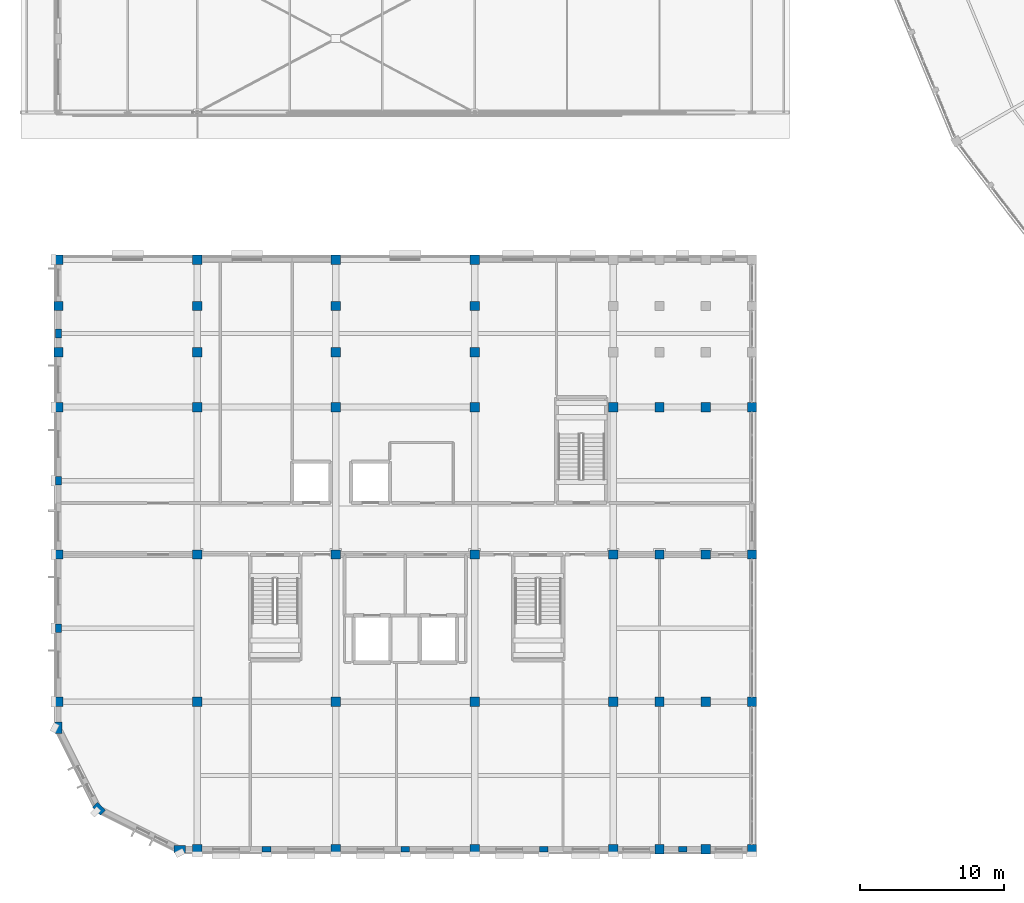
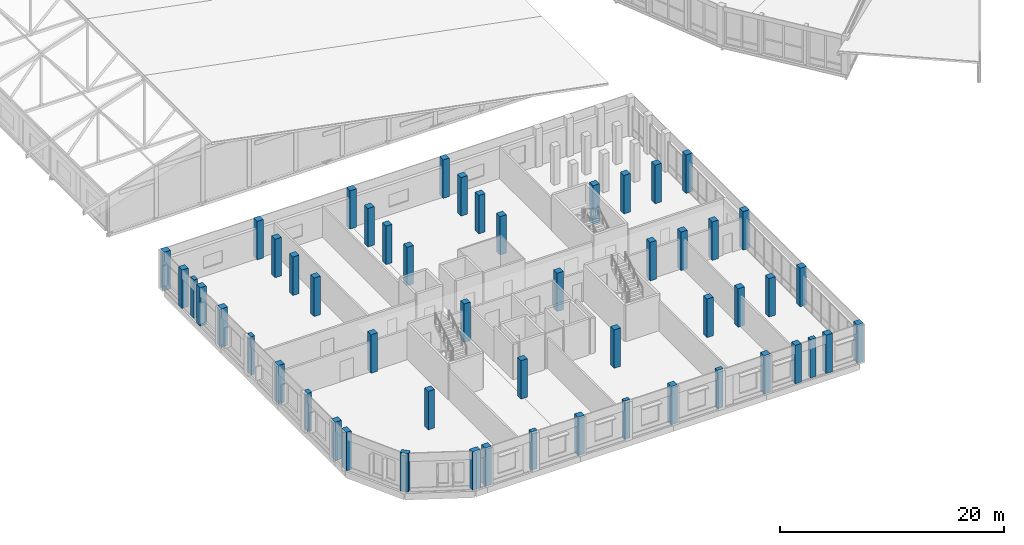
# One storey, part 1 of 200: 53 columns.
"""IFC4 building model written with IfcOpenShell, lengths in metres."""

from ifc_helpers import new_model, si_unit, direction, frame, origin, origin_2d, place, context, subcontext, project, spatial, rectangle, extrude, material, material_profile, profile_set, type_object, element, save


model = new_model("IFC4")

# Units and contexts
model_context = context("Model", 3, precision=1e-05, world=origin(), true_north=direction((0.0, 1.0)))
body_context = subcontext(model_context, "Body", "Model", "MODEL_VIEW")
ifc_project = project(units=[si_unit("LENGTHUNIT", "METRE"), si_unit("AREAUNIT", "SQUARE_METRE"), si_unit("VOLUMEUNIT", "CUBIC_METRE"), si_unit("PLANEANGLEUNIT", "RADIAN"), si_unit("MASSUNIT", "GRAM", prefix="KILO")], contexts=[model_context])

# Site, building, storey
site_placement = place(None, origin())
site = spatial("IfcSite", under=ifc_project, at=site_placement, CompositionType="ELEMENT")
building_placement = place(site_placement, origin())
building = spatial("IfcBuilding", under=site, at=building_placement, Name="Vondelvale Polytechnic", CompositionType="ELEMENT")
storey_placement = place(building_placement, frame((0.0, 0.0, 13.800048828125)))
storey = spatial("IfcBuildingStorey", under=building, at=storey_placement, Name="L03", CompositionType="ELEMENT", Elevation=13.800048828125)

# Columns
ifc_material = material(Name="Concrete N50 (f'c = 50 MPa)", Category="concrete")
ifc_material_profile_1 = material_profile(ifc_material, rectangle(XDim=0.64990234375, YDim=0.64990234375, at=origin_2d()), Name="RC-COL-650x650")
ifc_profile_set_1 = profile_set([ifc_material_profile_1], Name="Concrete N50 (f'c = 50 MPa)")
column_type_1 = type_object("IfcColumnType", Name="COL-RC650", PredefinedType="COLUMN", material=ifc_profile_set_1)
for number, where, z_axis, x_axis, name in (
    (1, (0.0, 10.199951171875, 0.0), (0.0, 0.0, 1.0), (1.0, 0.0, 0.0), "L03 corner wing column (0.0,10.2)"),
    (2, (0.0, 20.39990234375, 0.0), (0.0, 0.0, 1.0), (1.0, 0.0, 0.0), "L03 corner wing column (0.0,20.4)"),
    (3, (0.0, 30.60009765625, 0.0), (0.0, 0.0, 1.0), (1.0, 0.0, 0.0), "L03 corner wing column (0.0,30.6)"),
    (4, (0.0, 34.39990234375, 0.0), (0.0, 0.0, 1.0), (1.0, 0.0, 0.0), "L03 corner wing column (0.0,34.4)"),
    (5, (0.0, 37.60009765625, 0.0), (0.0, 0.0, 1.0), (1.0, 0.0, 0.0), "L03 corner wing column (0.0,37.6)"),
    (6, (0.0, 40.800048828125, 0.0), (0.0, 0.0, 1.0), (1.0, 0.0, 0.0), "L03 corner wing column (0.0,40.8)"),
    (7, (9.60009765625, 0.0, 0.0), (0.0, 0.0, 1.0), (1.0, 0.0, 0.0), "L03 corner wing column (9.6,0.0)"),
    (8, (9.60009765625, 10.199951171875, 0.0), (0.0, 0.0, 1.0), (1.0, 0.0, 0.0), "L03 corner wing column (9.6,10.2)"),
    (9, (9.60009765625, 20.39990234375, 0.0), (0.0, 0.0, 1.0), (1.0, 0.0, 0.0), "L03 corner wing column (9.6,20.4)"),
    (10, (9.60009765625, 30.60009765625, 0.0), (0.0, 0.0, 1.0), (1.0, 0.0, 0.0), "L03 corner wing column (9.6,30.6)"),
    (11, (9.60009765625, 34.39990234375, 0.0), (0.0, 0.0, 1.0), (1.0, 0.0, 0.0), "L03 corner wing column (9.6,34.4)"),
    (12, (9.60009765625, 37.60009765625, 0.0), (0.0, 0.0, 1.0), (1.0, 0.0, 0.0), "L03 corner wing column (9.6,37.6)"),
    (13, (9.60009765625, 40.800048828125, 0.0), (0.0, 0.0, 1.0), (1.0, 0.0, 0.0), "L03 corner wing column (9.6,40.8)"),
    (14, (19.199951171875, 0.0, 0.0), (0.0, 0.0, 1.0), (1.0, 0.0, 0.0), "L03 corner wing column (19.2,0.0)"),
    (15, (19.199951171875, 10.199951171875, 0.0), (0.0, 0.0, 1.0), (1.0, 0.0, 0.0), "L03 corner wing column (19.2,10.2)"),
    (16, (19.199951171875, 20.39990234375, 0.0), (0.0, 0.0, 1.0), (1.0, 0.0, 0.0), "L03 corner wing column (19.2,20.4)"),
    (17, (19.199951171875, 30.60009765625, 0.0), (0.0, 0.0, 1.0), (1.0, 0.0, 0.0), "L03 corner wing column (19.2,30.6)"),
    (18, (19.199951171875, 34.39990234375, 0.0), (0.0, 0.0, 1.0), (1.0, 0.0, 0.0), "L03 corner wing column (19.2,34.4)"),
    (19, (19.199951171875, 37.60009765625, 0.0), (0.0, 0.0, 1.0), (1.0, 0.0, 0.0), "L03 corner wing column (19.2,37.6)"),
    (20, (19.199951171875, 40.800048828125, 0.0), (0.0, 0.0, 1.0), (1.0, 0.0, 0.0), "L03 corner wing column (19.2,40.8)"),
    (21, (28.800048828125, 0.0, 0.0), (0.0, 0.0, 1.0), (1.0, 0.0, 0.0), "L03 corner wing column (28.8,0.0)"),
    (22, (28.800048828125, 10.199951171875, 0.0), (0.0, 0.0, 1.0), (1.0, 0.0, 0.0), "L03 corner wing column (28.8,10.2)"),
    (23, (28.800048828125, 20.39990234375, 0.0), (0.0, 0.0, 1.0), (1.0, 0.0, 0.0), "L03 corner wing column (28.8,20.4)"),
    (24, (28.800048828125, 30.60009765625, 0.0), (0.0, 0.0, 1.0), (1.0, 0.0, 0.0), "L03 corner wing column (28.8,30.6)"),
    (25, (28.800048828125, 34.39990234375, 0.0), (0.0, 0.0, 1.0), (1.0, 0.0, 0.0), "L03 corner wing column (28.8,34.4)"),
    (26, (28.800048828125, 37.60009765625, 0.0), (0.0, 0.0, 1.0), (1.0, 0.0, 0.0), "L03 corner wing column (28.8,37.6)"),
    (27, (28.800048828125, 40.800048828125, 0.0), (0.0, 0.0, 1.0), (1.0, 0.0, 0.0), "L03 corner wing column (28.8,40.8)"),
    (28, (38.39990234375, 0.0, 0.0), (0.0, 0.0, 1.0), (1.0, 0.0, 0.0), "L03 corner wing column (38.4,0.0)"),
    (29, (38.39990234375, 10.199951171875, 0.0), (0.0, 0.0, 1.0), (1.0, 0.0, 0.0), "L03 corner wing column (38.4,10.2)"),
    (30, (38.39990234375, 20.39990234375, 0.0), (0.0, 0.0, 1.0), (1.0, 0.0, 0.0), "L03 corner wing column (38.4,20.4)"),
    (31, (38.39990234375, 30.60009765625, 0.0), (0.0, 0.0, 1.0), (1.0, 0.0, 0.0), "L03 corner wing column (38.4,30.6)"),
    (32, (41.60009765625, 0.0, 0.0), (0.0, 0.0, 1.0), (1.0, 0.0, 0.0), "L03 corner wing column (41.6,0.0)"),
    (33, (41.60009765625, 10.199951171875, 0.0), (0.0, 0.0, 1.0), (1.0, 0.0, 0.0), "L03 corner wing column (41.6,10.2)"),
    (34, (41.60009765625, 20.39990234375, 0.0), (0.0, 0.0, 1.0), (1.0, 0.0, 0.0), "L03 corner wing column (41.6,20.4)"),
    (35, (41.60009765625, 30.60009765625, 0.0), (0.0, 0.0, 1.0), (1.0, 0.0, 0.0), "L03 corner wing column (41.6,30.6)"),
    (36, (44.800048828125, 0.0, 0.0), (0.0, 0.0, 1.0), (1.0, 0.0, 0.0), "L03 corner wing column (44.8,0.0)"),
    (37, (44.800048828125, 10.199951171875, 0.0), (0.0, 0.0, 1.0), (1.0, 0.0, 0.0), "L03 corner wing column (44.8,10.2)"),
    (38, (44.800048828125, 20.39990234375, 0.0), (0.0, 0.0, 1.0), (1.0, 0.0, 0.0), "L03 corner wing column (44.8,20.4)"),
    (39, (44.800048828125, 30.60009765625, 0.0), (0.0, 0.0, 1.0), (1.0, 0.0, 0.0), "L03 corner wing column (44.8,30.6)"),
    (40, (48.0, 0.0, 0.0), (0.0, 0.0, 1.0), (1.0, 0.0, 0.0), "L03 corner wing column (48.0,0.0)"),
    (41, (48.0, 10.199951171875, 0.0), (0.0, 0.0, 1.0), (1.0, 0.0, 0.0), "L03 corner wing column (48.0,10.2)"),
    (42, (48.0, 20.39990234375, 0.0), (0.0, 0.0, 1.0), (1.0, 0.0, 0.0), "L03 corner wing column (48.0,20.4)"),
    (43, (48.0, 30.60009765625, 0.0), (0.0, 0.0, 1.0), (1.0, 0.0, 0.0), "L03 corner wing column (48.0,30.6)"),
):
    element("IfcColumn", number, at=place(storey_placement, frame(where, z_axis=z_axis, x_axis=x_axis)), inside=storey, type_object=column_type_1, Name=name, PredefinedType="COLUMN", context=body_context, shape_type="SweptSolid", body=[
        extrude(rectangle(XDim=0.64990234375, YDim=0.64990234375, at=origin_2d()), origin(), (0.0, 0.0, 1.0), 4.199951171875),
    ])
ifc_material_profile_2 = material_profile(ifc_material, rectangle(XDim=0.39990234375, YDim=0.60009765625, at=origin_2d()), Name="RC-PIL-600x400")
ifc_profile_set_2 = profile_set([ifc_material_profile_2], Name="Concrete N50 (f'c = 50 MPa)")
column_type_2 = type_object("IfcColumnType", Name="PIL-RC600x400", PredefinedType="PILASTER", material=ifc_profile_set_2)
for number, where, z_axis, x_axis, name in (
    (44, (14.39990234375, 0.0, 0.0), (0.0, 0.0, 1.0), (0.0, 1.0, 0.0), "L03 South street brick pilaster 1"),
    (45, (24.0, 0.0, 0.0), (0.0, 0.0, 1.0), (0.0, 1.0, 0.0), "L03 South street brick pilaster 2"),
    (46, (33.60009765625, 0.0, 0.0), (0.0, 0.0, 1.0), (0.0, 1.0, 0.0), "L03 South street brick pilaster 3"),
    (47, (43.199951171875, 0.0, 0.0), (0.0, 0.0, 1.0), (0.0, 1.0, 0.0), "L03 South street brick pilaster 4"),
    (48, (0.0, 15.300048828125, 0.0), (0.0, 0.0, 1.0), (1.0, 0.0, 0.0), "L03 West street brick pilaster 1"),
    (49, (0.0, 25.5, 0.0), (0.0, 0.0, 1.0), (1.0, 0.0, 0.0), "L03 West street brick pilaster 2"),
    (50, (0.0, 35.699951171875, 0.0), (0.0, 0.0, 1.0), (1.0, 0.0, 0.0), "L03 West street brick pilaster 3"),
):
    element("IfcColumn", number, at=place(storey_placement, frame(where, z_axis=z_axis, x_axis=x_axis)), inside=storey, type_object=column_type_2, Name=name, PredefinedType="PILASTER", context=body_context, shape_type="SweptSolid", body=[
        extrude(rectangle(XDim=0.39990234375, YDim=0.60009765625, at=origin_2d()), origin(), (0.0, 0.0, 1.0), 4.199951171875),
    ])
ifc_material_profile_3 = material_profile(ifc_material, rectangle(XDim=0.5, YDim=0.800048828125, at=origin_2d()), Name="RC-PIL-800x500")
ifc_profile_set_3 = profile_set([ifc_material_profile_3], Name="Concrete N50 (f'c = 50 MPa)")
column_type_3 = type_object("IfcColumnType", Name="PIL-RC800x500", PredefinedType="PILASTER", material=ifc_profile_set_3)
for number, where, z_axis, x_axis, name in (
    (51, (8.39990234375, 0.0, 0.0), (0.0, 0.0, 1.0), (0.0, 1.0, 0.0), "L03 SW corner turret pier TR-S"),
    (52, (2.800048828125, 2.800048828125, 0.0), (0.0, 0.0, 1.0), (0.707106781187, 0.707106781187, 0.0), "L03 SW corner turret pier TR-M"),
    (53, (0.0, 8.39990234375, 0.0), (0.0, 0.0, 1.0), (1.0, 0.0, 0.0), "L03 SW corner turret pier TR-W"),
):
    element("IfcColumn", number, at=place(storey_placement, frame(where, z_axis=z_axis, x_axis=x_axis)), inside=storey, type_object=column_type_3, Name=name, PredefinedType="PILASTER", context=body_context, shape_type="SweptSolid", body=[
        extrude(rectangle(XDim=0.5, YDim=0.800048828125, at=origin_2d()), origin(), (0.0, 0.0, 1.0), 4.199951171875),
    ])

save(model, "model.ifc")
